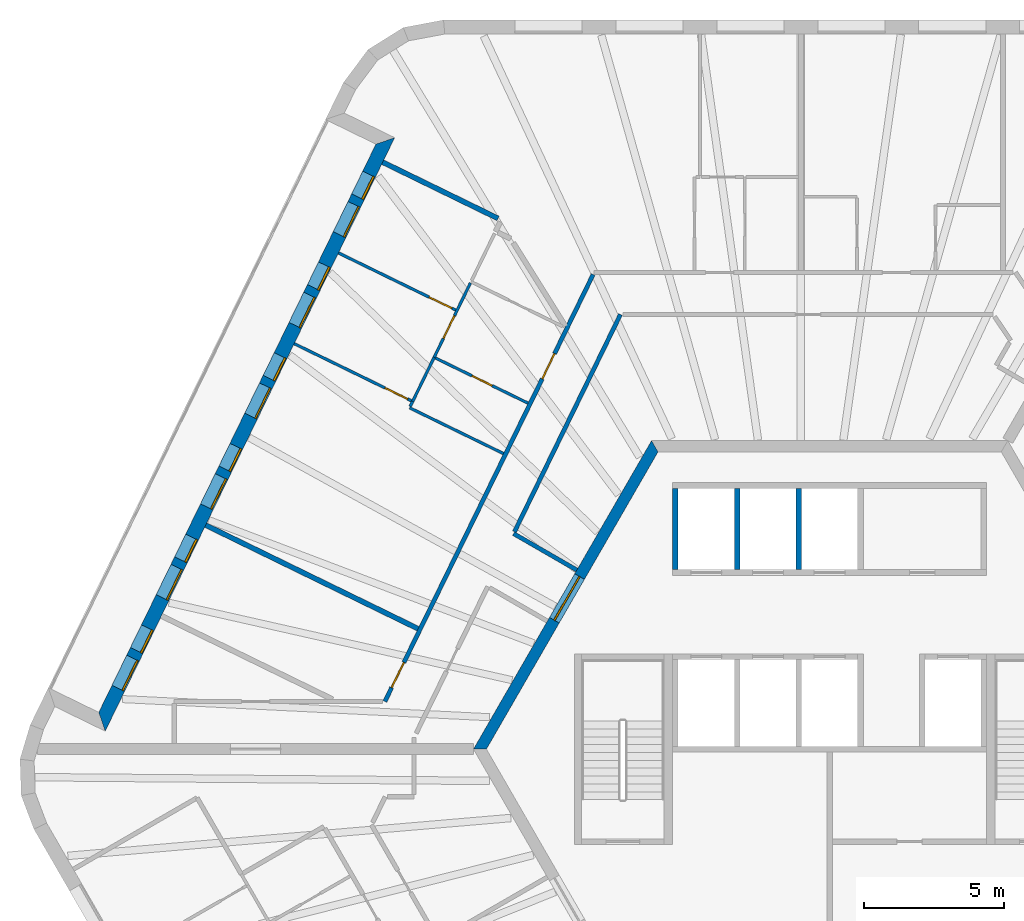
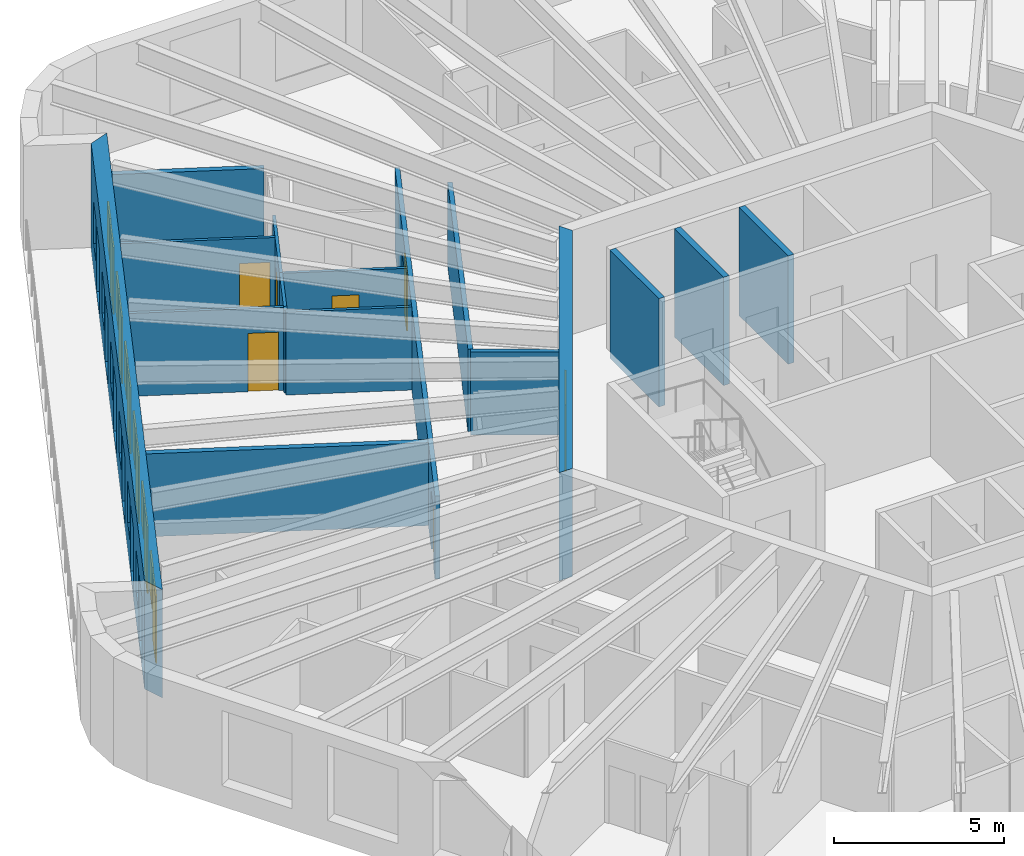
# One storey, part 8 of 12: 17 walls, 13 doors, 6 windows, 19 openings.
"""IFC4 building model written with IfcOpenShell, lengths in metres."""

from ifc_helpers import new_model, si_unit, direction, frame, frame_2d, origin, place, context, subcontext, project, spatial, polyline, rectangle, outline, extrude, material, layer, layer_set, type_object, element, fill, save


model = new_model("IFC4")

# Units and contexts
model_context = context("Model", 3, precision=1e-05, world=origin(), true_north=direction((0.0, 1.0)))
body_context = subcontext(model_context, "Body", "Model", "MODEL_VIEW")
ifc_project = project(units=[si_unit("LENGTHUNIT", "METRE"), si_unit("AREAUNIT", "SQUARE_METRE"), si_unit("VOLUMEUNIT", "CUBIC_METRE"), si_unit("PLANEANGLEUNIT", "RADIAN"), si_unit("MASSUNIT", "GRAM", prefix="KILO")], contexts=[model_context])

# Site, building, storey
site_placement = place(None, origin())
site = spatial("IfcSite", under=ifc_project, at=site_placement, CompositionType="ELEMENT")
building_placement = place(site_placement, origin())
building = spatial("IfcBuilding", under=site, at=building_placement, Name="Tarnside Tower", CompositionType="ELEMENT")
storey_placement = place(building_placement, frame((0.0, 0.0, 299.10009765625)))
storey = spatial("IfcBuildingStorey", under=building, at=storey_placement, Name="L72", CompositionType="ELEMENT", Elevation=299.10009765625)

# Walls
ifc_material_1 = material(Name="Gypsum board partition on steel studs", Category="steel")
ifc_layer_1 = layer(ifc_material_1, 0.10009765625)
ifc_layer_set_1 = layer_set([ifc_layer_1], Name="Bathroom wall 100")
wall_type_1 = type_object("IfcWallType", Name="Bathroom wall 100", PredefinedType="PARTITIONING", material=ifc_layer_set_1)
wall_1_placement = place(storey_placement, frame((-11.63232421875, 10.538818359375, 0.0), z_axis=(0.0, 0.0, 1.0), x_axis=(-0.898775374511, 0.438409427558, 0.0)))
element("IfcWall", 1, at=wall_1_placement, inside=storey, type_object=wall_type_1, Name="Bathroom wall 23100", PredefinedType="PARTITIONING", context=body_context, shape_type="SweptSolid", body=[
    extrude(rectangle(XDim=3.724853515625, YDim=0.10009765625, at=frame_2d((1.8623046875, 0.0))), origin(), (0.0, 0.0, 1.0), 2.98779296875),
])
wall_2_placement = place(storey_placement, frame((-14.95849609375, 12.216796875, 0.0), z_axis=(0.0, 0.0, 1.0), x_axis=(0.438565276448, 0.898699336983, 0.0)))
element("IfcWall", 2, at=wall_2_placement, inside=storey, type_object=wall_type_1, Name="Bathroom wall 23101", PredefinedType="PARTITIONING", context=body_context, shape_type="SweptSolid", body=[
    extrude(rectangle(XDim=0.203857421875, YDim=0.10009765625, at=frame_2d((0.10205078125, 0.0))), origin(), (0.0, 0.0, 1.0), 2.98779296875),
])

# Wall, opening, door
wall_3_placement = place(storey_placement, frame((-14.103515625, 13.969482421875, 0.0), z_axis=(0.0, 0.0, 1.0), x_axis=(0.898775374511, -0.438409427558, 0.0)))
wall_3 = element("IfcWall", 3, at=wall_3_placement, inside=storey, type_object=wall_type_1, Name="Bathroom wall 23104", PredefinedType="PARTITIONING", context=body_context, shape_type="SweptSolid", body=[
    extrude(rectangle(XDim=3.724853515625, YDim=0.10009765625, at=frame_2d((1.8623046875, 0.0))), origin(), (0.0, 0.0, 1.0), 2.98779296875),
])
opening_1_placement = place(wall_3_placement, frame((1.5, 0.0, 0.0)))
opening_1 = element("IfcOpeningElement", 4, at=opening_1_placement, cuts=wall_3, Name="Opening D-B1", PredefinedType="OPENING", context=body_context, shape_type="SweptSolid", body=[
    extrude(rectangle(XDim=0.800048828125, YDim=2.10009765625, at=frame_2d((0.39990234375, 1.050048828125))), frame((0.0, 0.06005859375, 0.0), z_axis=(0.0, -1.0, 0.0), x_axis=(1.0, 0.0, 0.0)), (0.0, 0.0, 1.0), 0.1201171875),
])
ifc_material_2 = material(Name="Timber door leaf", Category="wood")
door_type_1 = type_object("IfcDoorType", Name="Bathroom door 800", OperationType="NOTDEFINED", PredefinedType="DOOR", material=ifc_material_2)
door_1_placement = place(opening_1_placement, origin())
door_1 = element("IfcDoor", 5, at=door_1_placement, inside=storey, type_object=door_type_1, Name="Bathroom door 23010", OperationType="SINGLE_SWING_LEFT", OverallHeight=2.10009765625, OverallWidth=0.800048828125, PredefinedType="DOOR", context=body_context, shape_type="SweptSolid", body=[
    extrude(rectangle(XDim=0.800048828125, YDim=2.10009765625, at=frame_2d((0.39990234375, 1.050048828125))), frame((0.0, 0.02490234375, 0.0), z_axis=(0.0, -1.0, 0.0), x_axis=(1.0, 0.0, 0.0)), (0.0, 0.0, 1.0), 0.050048828125),
])
fill(opening_1, door_1)

# Wall
wall_4_placement = place(storey_placement, frame((-14.102783203125, 13.97119140625, 0.0), z_axis=(0.0, 0.0, 1.0), x_axis=(-0.43826423199, -0.89884618426, 0.0)))
element("IfcWall", 6, at=wall_4_placement, inside=storey, type_object=wall_type_1, Name="Bathroom wall 23108", PredefinedType="PARTITIONING", context=body_context, shape_type="SweptSolid", body=[
    extrude(rectangle(XDim=1.750244140625, YDim=0.10009765625, at=frame_2d((0.875, 0.0))), origin(), (0.0, 0.0, 1.0), 2.98779296875),
])

# Wall, opening, door
ifc_material_3 = material(Name="Concrete C60/75", Category="concrete")
ifc_layer_2 = layer(ifc_material_3, 0.39990234375)
ifc_layer_set_2 = layer_set([ifc_layer_2], Name="Core wall Z3 400 C60/75")
wall_type_2 = type_object("IfcWallType", Name="Core wall Z3 400 C60/75", PredefinedType="SHEAR", material=ifc_layer_set_2)
wall_5_placement = place(storey_placement, frame((-6.2353515625, 10.800048828125, -0.150146484375), z_axis=(0.0, 0.0, 1.0), x_axis=(-0.499996419489, -0.866027470984, 0.0)))
wall_5 = element("IfcWall", 7, at=wall_5_placement, inside=storey, type_object=wall_type_2, Name="L72 core wall face 2", PredefinedType="SHEAR", context=body_context, shape_type="SweptSolid", body=[
    extrude(outline(polyline([(-0.115478515625, -0.199951171875), (12.586181640625, -0.199951171875), (12.355224609375, 0.199951171875), (0.115478515625, 0.199951171875), (-0.115478515625, -0.199951171875)])), origin(), (0.0, 0.0, 1.0), 3.900146484375),
])
opening_2_placement = place(wall_5_placement, frame((5.3642578125, 0.0, 0.14990234375)))
opening_2 = element("IfcOpeningElement", 8, at=opening_2_placement, cuts=wall_5, Name="Opening CD-LOB", PredefinedType="OPENING", context=body_context, shape_type="SweptSolid", body=[
    extrude(rectangle(XDim=1.800048828125, YDim=2.39990234375, at=frame_2d((0.89990234375, 1.199951171875))), frame((0.0, 0.2099609375, 0.0), z_axis=(0.0, -1.0, 0.0), x_axis=(1.0, 0.0, 0.0)), (0.0, 0.0, 1.0), 0.419921875),
])
ifc_material_4 = material(Name="Steel fire door", Category="steel")
door_type_2 = type_object("IfcDoorType", Name="Lobby double door FD30S 1800x2400", OperationType="NOTDEFINED", PredefinedType="DOOR", material=ifc_material_4)
door_2_placement = place(opening_2_placement, origin())
door_2 = element("IfcDoor", 9, at=door_2_placement, inside=storey, type_object=door_type_2, Name="L72 core door P1", OperationType="DOUBLE_DOOR_SINGLE_SWING", OverallHeight=2.39990234375, OverallWidth=1.800048828125, PredefinedType="DOOR", context=body_context, shape_type="SweptSolid", body=[
    extrude(rectangle(XDim=1.800048828125, YDim=2.39990234375, at=frame_2d((0.89990234375, 1.199951171875))), frame((0.0, 0.02490234375, 0.0), z_axis=(0.0, -1.0, 0.0), x_axis=(1.0, 0.0, 0.0)), (0.0, 0.0, 1.0), 0.050048828125),
])
fill(opening_2, door_2)

# Wall, openings, doors
ifc_layer_3 = layer(ifc_material_1, 0.14990234375)
ifc_layer_set_3 = layer_set([ifc_layer_3], Name="Corridor wall 150 EI 60")
wall_type_3 = type_object("IfcWallType", Name="Corridor wall 150 EI 60", PredefinedType="PARTITIONING", material=ifc_layer_set_3)
wall_6_placement = place(storey_placement, frame((-8.43408203125, 16.925048828125, 0.0), z_axis=(0.0, 0.0, 1.0), x_axis=(-0.438371383278, -0.898793930956, 0.0)))
wall_6 = element("IfcWall", 10, at=wall_6_placement, inside=storey, type_object=wall_type_3, Name="Corridor wall 23009", PredefinedType="PARTITIONING", context=body_context, shape_type="SweptSolid", body=[
    extrude(rectangle(XDim=16.939453125, YDim=0.14990234375, at=frame_2d((8.4697265625, 0.0))), origin(), (0.0, 0.0, 1.0), 2.98779296875),
])
opening_3_placement = place(wall_6_placement, frame((3.141845703125, 0.0, 0.0)))
opening_3 = element("IfcOpeningElement", 11, at=opening_3_placement, cuts=wall_6, Name="Opening D-E1", PredefinedType="OPENING", context=body_context, shape_type="SweptSolid", body=[
    extrude(rectangle(XDim=1.0, YDim=2.10009765625, at=frame_2d((0.5, 1.050048828125))), frame((0.0, 0.0849609375, 0.0), z_axis=(0.0, -1.0, 0.0), x_axis=(1.0, 0.0, 0.0)), (0.0, 0.0, 1.0), 0.169921875),
])
opening_4_placement = place(wall_6_placement, frame((15.39013671875, 0.0, 0.0)))
opening_4 = element("IfcOpeningElement", 12, at=opening_4_placement, cuts=wall_6, Name="Opening D-E1", PredefinedType="OPENING", context=body_context, shape_type="SweptSolid", body=[
    extrude(rectangle(XDim=1.0, YDim=2.10009765625, at=frame_2d((0.5, 1.050048828125))), frame((0.0, 0.0849609375, 0.0), z_axis=(0.0, -1.0, 0.0), x_axis=(1.0, 0.0, 0.0)), (0.0, 0.0, 1.0), 0.169921875),
])
door_type_3 = type_object("IfcDoorType", Name="Unit entrance door 1000 FD30S", OperationType="NOTDEFINED", PredefinedType="DOOR", material=ifc_material_2)
door_3_placement = place(opening_3_placement, origin())
door_3 = element("IfcDoor", 13, at=door_3_placement, inside=storey, type_object=door_type_3, Name="Unit door 23009", OperationType="SINGLE_SWING_LEFT", OverallHeight=2.10009765625, OverallWidth=1.0, PredefinedType="DOOR", context=body_context, shape_type="SweptSolid", body=[
    extrude(rectangle(XDim=1.0, YDim=2.10009765625, at=frame_2d((0.5, 1.050048828125))), frame((0.0, 0.02490234375, 0.0), z_axis=(0.0, -1.0, 0.0), x_axis=(1.0, 0.0, 0.0)), (0.0, 0.0, 1.0), 0.050048828125),
])
fill(opening_3, door_3)
door_4_placement = place(opening_4_placement, origin())
door_4 = element("IfcDoor", 14, at=door_4_placement, inside=storey, type_object=door_type_3, Name="Unit door 23020", OperationType="SINGLE_SWING_LEFT", OverallHeight=2.10009765625, OverallWidth=1.0, PredefinedType="DOOR", context=body_context, shape_type="SweptSolid", body=[
    extrude(rectangle(XDim=1.0, YDim=2.10009765625, at=frame_2d((0.5, 1.050048828125))), frame((0.0, 0.02490234375, 0.0), z_axis=(0.0, -1.0, 0.0), x_axis=(1.0, 0.0, 0.0)), (0.0, 0.0, 1.0), 0.050048828125),
])
fill(opening_4, door_4)

# Walls
wall_7_placement = place(storey_placement, frame((-9.015625, 6.38427734375, 0.0), z_axis=(0.0, 0.0, 1.0), x_axis=(-0.866031051173, 0.499990218309, 0.0)))
element("IfcWall", 15, at=wall_7_placement, inside=storey, type_object=wall_type_3, Name="Corridor wall 23019", PredefinedType="PARTITIONING", context=body_context, shape_type="SweptSolid", body=[
    extrude(rectangle(XDim=2.6044921875, YDim=0.14990234375, at=frame_2d((1.30224609375, 0.0))), origin(), (0.0, 0.0, 1.0), 2.98779296875),
])
wall_8_placement = place(storey_placement, frame((-11.23828125, 7.754150390625, 0.0), z_axis=(0.0, 0.0, 1.0), x_axis=(0.438387352899, 0.89878614187, 0.0)))
element("IfcWall", 16, at=wall_8_placement, inside=storey, type_object=wall_type_3, Name="Corridor wall 23020", PredefinedType="PARTITIONING", context=body_context, shape_type="SweptSolid", body=[
    extrude(rectangle(XDim=8.6181640625, YDim=0.14990234375, at=frame_2d((4.30908203125, 0.0))), origin(), (0.0, 0.0, 1.0), 2.98779296875),
])
ifc_layer_4 = layer(ifc_material_1, 0.179931640625)
ifc_layer_set_4 = layer_set([ifc_layer_4], Name="Demising wall 180 EI 60")
wall_type_4 = type_object("IfcWallType", Name="Demising wall 180 EI 60", PredefinedType="PARTITIONING", material=ifc_layer_set_4)
wall_9_placement = place(storey_placement, frame((-15.93798828125, 20.9296875, 0.0), z_axis=(0.0, 0.0, 1.0), x_axis=(0.898800744024, -0.438357414153, 0.0)))
element("IfcWall", 17, at=wall_9_placement, inside=storey, type_object=wall_type_4, Name="Demising wall 23093", PredefinedType="PARTITIONING", context=body_context, shape_type="SweptSolid", body=[
    extrude(rectangle(XDim=4.576416015625, YDim=0.179931640625, at=frame_2d((2.2880859375, 0.0))), origin(), (0.0, 0.0, 1.0), 2.98779296875),
])
wall_10_placement = place(storey_placement, frame((-22.25048828125, 7.987060546875, 0.0), z_axis=(0.0, 0.0, 1.0), x_axis=(0.898788496909, -0.438382524543, 0.0)))
element("IfcWall", 18, at=wall_10_placement, inside=storey, type_object=wall_type_4, Name="Demising wall 23103", PredefinedType="PARTITIONING", context=body_context, shape_type="SweptSolid", body=[
    extrude(rectangle(XDim=8.425048828125, YDim=0.179931640625, at=frame_2d((4.21240234375, 0.0))), origin(), (0.0, 0.0, 1.0), 2.98779296875),
])
ifc_material_5 = material(Name="Concrete C40/50", Category="concrete")
ifc_layer_5 = layer(ifc_material_5, 0.199951171875)
ifc_layer_set_5 = layer_set([ifc_layer_5], Name="Lift shaft wall 200 C40/50")
wall_type_5 = type_object("IfcWallType", Name="Lift shaft wall 200 C40/50", PredefinedType="SHEAR", material=ifc_layer_set_5)
for number, where, z_axis, x_axis, name in (
    (19, (-5.5, 6.39990234375, -0.25), (0.0, 0.0, 1.0), (0.0, 1.0, 0.0), "L72 lift shaft partition R11"),
    (20, (-3.300048828125, 6.39990234375, -0.25), (0.0, 0.0, 1.0), (0.0, 1.0, 0.0), "L72 lift shaft partition R12"),
    (21, (-1.10009765625, 6.39990234375, -0.25), (0.0, 0.0, 1.0), (0.0, 1.0, 0.0), "L72 lift shaft partition R13"),
):
    element("IfcWall", number, at=place(storey_placement, frame(where, z_axis=z_axis, x_axis=x_axis)), inside=storey, type_object=wall_type_5, Name=name, PredefinedType="SHEAR", context=body_context, shape_type="SweptSolid", body=[
        extrude(rectangle(XDim=2.900146484375, YDim=0.199951171875, at=frame_2d((1.4501953125, 0.0))), origin(), (0.0, 0.0, 1.0), 3.89990234375),
    ])

# Wall, openings, doors, windows
ifc_material_6 = material(Name="Dark zinc cladding")
ifc_layer_6 = layer(ifc_material_6, 0.10205078125)
ifc_material_7 = material(Name="Concrete C60/75 precast", Category="concrete")
ifc_layer_7 = layer(ifc_material_7, 0.298095703125)
ifc_material_8 = material(Name="Mineral wool insulation")
ifc_layer_8 = layer(ifc_material_8, 0.10009765625)
ifc_layer_set_6 = layer_set([ifc_layer_6, ifc_layer_7, ifc_layer_8], Name="Loggia wall 500 zinc faced")
wall_type_6 = type_object("IfcWallType", Name="Loggia wall 500 zinc faced", PredefinedType="SOLIDWALL", material=ifc_layer_set_6)
wall_11_placement = place(storey_placement, frame((-15.845947265625, 21.6884765625, -0.150146484375), z_axis=(0.0, 0.0, 1.0), x_axis=(-0.438377502627, -0.898790946322, 0.0)))
wall_11 = element("IfcWall", 22, at=wall_11_placement, inside=storey, type_object=wall_type_6, Name="Tube wall L72 F2 back 06", PredefinedType="SOLIDWALL", context=body_context, shape_type="SweptSolid", body=[
    extrude(outline(polyline([(0.25, -0.25), (22.794677734375, -0.25), (23.294677734375, 0.25), (-0.25, 0.25), (0.25, -0.25)])), origin(), (0.0, 0.0, 1.0), 3.900146484375),
])
opening_5_placement = place(wall_11_placement, frame((1.322509765625, 0.0, 1.050048828125)))
opening_5 = element("IfcOpeningElement", 23, at=opening_5_placement, cuts=wall_11, Name="Opening WL500", PredefinedType="OPENING", context=body_context, shape_type="SweptSolid", body=[
    extrude(rectangle(XDim=0.89990234375, YDim=1.5, at=frame_2d((0.449951171875, 0.75))), frame((0.0, 0.260009765625, 0.0), z_axis=(0.0, -1.0, 0.0), x_axis=(1.0, 0.0, 0.0)), (0.0, 0.0, 1.0), 0.52001953125),
])
opening_6_placement = place(wall_11_placement, frame((2.5224609375, 0.0, 0.14990234375)))
opening_6 = element("IfcOpeningElement", 24, at=opening_6_placement, cuts=wall_11, Name="Opening DB500", PredefinedType="OPENING", context=body_context, shape_type="SweptSolid", body=[
    extrude(rectangle(XDim=1.199951171875, YDim=2.39990234375, at=frame_2d((0.60009765625, 1.199951171875))), frame((0.0, 0.260009765625, 0.0), z_axis=(0.0, -1.0, 0.0), x_axis=(1.0, 0.0, 0.0)), (0.0, 0.0, 1.0), 0.52001953125),
])
opening_7_placement = place(wall_11_placement, frame((4.92236328125, 0.0, 1.050048828125)))
opening_7 = element("IfcOpeningElement", 25, at=opening_7_placement, cuts=wall_11, Name="Opening WL500", PredefinedType="OPENING", context=body_context, shape_type="SweptSolid", body=[
    extrude(rectangle(XDim=0.89990234375, YDim=1.5, at=frame_2d((0.449951171875, 0.75))), frame((0.0, 0.260009765625, 0.0), z_axis=(0.0, -1.0, 0.0), x_axis=(1.0, 0.0, 0.0)), (0.0, 0.0, 1.0), 0.52001953125),
])
opening_8_placement = place(wall_11_placement, frame((6.122314453125, 0.0, 0.14990234375)))
opening_8 = element("IfcOpeningElement", 26, at=opening_8_placement, cuts=wall_11, Name="Opening DB500", PredefinedType="OPENING", context=body_context, shape_type="SweptSolid", body=[
    extrude(rectangle(XDim=1.199951171875, YDim=2.39990234375, at=frame_2d((0.60009765625, 1.199951171875))), frame((0.0, 0.260009765625, 0.0), z_axis=(0.0, -1.0, 0.0), x_axis=(1.0, 0.0, 0.0)), (0.0, 0.0, 1.0), 0.52001953125),
])
opening_9_placement = place(wall_11_placement, frame((8.5224609375, 0.0, 1.050048828125)))
opening_9 = element("IfcOpeningElement", 27, at=opening_9_placement, cuts=wall_11, Name="Opening WL500", PredefinedType="OPENING", context=body_context, shape_type="SweptSolid", body=[
    extrude(rectangle(XDim=0.89990234375, YDim=1.5, at=frame_2d((0.449951171875, 0.75))), frame((0.0, 0.260009765625, 0.0), z_axis=(0.0, -1.0, 0.0), x_axis=(1.0, 0.0, 0.0)), (0.0, 0.0, 1.0), 0.52001953125),
])
opening_10_placement = place(wall_11_placement, frame((9.722412109375, 0.0, 0.14990234375)))
opening_10 = element("IfcOpeningElement", 28, at=opening_10_placement, cuts=wall_11, Name="Opening DB500", PredefinedType="OPENING", context=body_context, shape_type="SweptSolid", body=[
    extrude(rectangle(XDim=1.199951171875, YDim=2.39990234375, at=frame_2d((0.60009765625, 1.199951171875))), frame((0.0, 0.260009765625, 0.0), z_axis=(0.0, -1.0, 0.0), x_axis=(1.0, 0.0, 0.0)), (0.0, 0.0, 1.0), 0.52001953125),
])
opening_11_placement = place(wall_11_placement, frame((12.122314453125, 0.0, 1.050048828125)))
opening_11 = element("IfcOpeningElement", 29, at=opening_11_placement, cuts=wall_11, Name="Opening WL500", PredefinedType="OPENING", context=body_context, shape_type="SweptSolid", body=[
    extrude(rectangle(XDim=0.89990234375, YDim=1.5, at=frame_2d((0.449951171875, 0.75))), frame((0.0, 0.260009765625, 0.0), z_axis=(0.0, -1.0, 0.0), x_axis=(1.0, 0.0, 0.0)), (0.0, 0.0, 1.0), 0.52001953125),
])
opening_12_placement = place(wall_11_placement, frame((13.322509765625, 0.0, 0.14990234375)))
opening_12 = element("IfcOpeningElement", 30, at=opening_12_placement, cuts=wall_11, Name="Opening DB500", PredefinedType="OPENING", context=body_context, shape_type="SweptSolid", body=[
    extrude(rectangle(XDim=1.199951171875, YDim=2.39990234375, at=frame_2d((0.60009765625, 1.199951171875))), frame((0.0, 0.260009765625, 0.0), z_axis=(0.0, -1.0, 0.0), x_axis=(1.0, 0.0, 0.0)), (0.0, 0.0, 1.0), 0.52001953125),
])
opening_13_placement = place(wall_11_placement, frame((15.722412109375, 0.0, 1.050048828125)))
opening_13 = element("IfcOpeningElement", 31, at=opening_13_placement, cuts=wall_11, Name="Opening WL500", PredefinedType="OPENING", context=body_context, shape_type="SweptSolid", body=[
    extrude(rectangle(XDim=0.89990234375, YDim=1.5, at=frame_2d((0.449951171875, 0.75))), frame((0.0, 0.260009765625, 0.0), z_axis=(0.0, -1.0, 0.0), x_axis=(1.0, 0.0, 0.0)), (0.0, 0.0, 1.0), 0.52001953125),
])
opening_14_placement = place(wall_11_placement, frame((16.92236328125, 0.0, 0.14990234375)))
opening_14 = element("IfcOpeningElement", 32, at=opening_14_placement, cuts=wall_11, Name="Opening DB500", PredefinedType="OPENING", context=body_context, shape_type="SweptSolid", body=[
    extrude(rectangle(XDim=1.199951171875, YDim=2.39990234375, at=frame_2d((0.60009765625, 1.199951171875))), frame((0.0, 0.260009765625, 0.0), z_axis=(0.0, -1.0, 0.0), x_axis=(1.0, 0.0, 0.0)), (0.0, 0.0, 1.0), 0.52001953125),
])
opening_15_placement = place(wall_11_placement, frame((19.322509765625, 0.0, 1.050048828125)))
opening_15 = element("IfcOpeningElement", 33, at=opening_15_placement, cuts=wall_11, Name="Opening WL500", PredefinedType="OPENING", context=body_context, shape_type="SweptSolid", body=[
    extrude(rectangle(XDim=0.89990234375, YDim=1.5, at=frame_2d((0.449951171875, 0.75))), frame((0.0, 0.260009765625, 0.0), z_axis=(0.0, -1.0, 0.0), x_axis=(1.0, 0.0, 0.0)), (0.0, 0.0, 1.0), 0.52001953125),
])
opening_16_placement = place(wall_11_placement, frame((20.5224609375, 0.0, 0.14990234375)))
opening_16 = element("IfcOpeningElement", 34, at=opening_16_placement, cuts=wall_11, Name="Opening DB500", PredefinedType="OPENING", context=body_context, shape_type="SweptSolid", body=[
    extrude(rectangle(XDim=1.199951171875, YDim=2.39990234375, at=frame_2d((0.60009765625, 1.199951171875))), frame((0.0, 0.260009765625, 0.0), z_axis=(0.0, -1.0, 0.0), x_axis=(1.0, 0.0, 0.0)), (0.0, 0.0, 1.0), 0.52001953125),
])
ifc_material_9 = material(Name="Aluminium-framed double glazing", Category="aluminium")
door_type_4 = type_object("IfcDoorType", Name="Balcony sliding door 1200 x 2400 in 500 wall", OperationType="SLIDING_TO_LEFT", PredefinedType="DOOR", material=ifc_material_9)
door_5_placement = place(opening_6_placement, frame((0.0, 0.1748046875, 0.0)))
door_5 = element("IfcDoor", 35, at=door_5_placement, inside=storey, type_object=door_type_4, Name="E.BD.L72.F2.00", OperationType="SLIDING_TO_LEFT", OverallHeight=2.39990234375, OverallWidth=1.199951171875, PredefinedType="DOOR", context=body_context, shape_type="SweptSolid", body=[
    extrude(rectangle(XDim=1.199951171875, YDim=2.39990234375, at=frame_2d((0.60009765625, 1.199951171875))), frame((0.0, 0.02490234375, 0.0), z_axis=(0.0, -1.0, 0.0), x_axis=(1.0, 0.0, 0.0)), (0.0, 0.0, 1.0), 0.050048828125),
])
fill(opening_6, door_5)
door_6_placement = place(opening_8_placement, frame((0.0, 0.1748046875, 0.0)))
door_6 = element("IfcDoor", 36, at=door_6_placement, inside=storey, type_object=door_type_4, Name="E.BD.L72.F2.01", OperationType="SLIDING_TO_LEFT", OverallHeight=2.39990234375, OverallWidth=1.199951171875, PredefinedType="DOOR", context=body_context, shape_type="SweptSolid", body=[
    extrude(rectangle(XDim=1.199951171875, YDim=2.39990234375, at=frame_2d((0.60009765625, 1.199951171875))), frame((0.0, 0.02490234375, 0.0), z_axis=(0.0, -1.0, 0.0), x_axis=(1.0, 0.0, 0.0)), (0.0, 0.0, 1.0), 0.050048828125),
])
fill(opening_8, door_6)
door_7_placement = place(opening_10_placement, frame((0.0, 0.1748046875, 0.0)))
door_7 = element("IfcDoor", 37, at=door_7_placement, inside=storey, type_object=door_type_4, Name="E.BD.L72.F2.02", OperationType="SLIDING_TO_LEFT", OverallHeight=2.39990234375, OverallWidth=1.199951171875, PredefinedType="DOOR", context=body_context, shape_type="SweptSolid", body=[
    extrude(rectangle(XDim=1.199951171875, YDim=2.39990234375, at=frame_2d((0.60009765625, 1.199951171875))), frame((0.0, 0.02490234375, 0.0), z_axis=(0.0, -1.0, 0.0), x_axis=(1.0, 0.0, 0.0)), (0.0, 0.0, 1.0), 0.050048828125),
])
fill(opening_10, door_7)
door_8_placement = place(opening_12_placement, frame((0.0, 0.1748046875, 0.0)))
door_8 = element("IfcDoor", 38, at=door_8_placement, inside=storey, type_object=door_type_4, Name="E.BD.L72.F2.03", OperationType="SLIDING_TO_LEFT", OverallHeight=2.39990234375, OverallWidth=1.199951171875, PredefinedType="DOOR", context=body_context, shape_type="SweptSolid", body=[
    extrude(rectangle(XDim=1.199951171875, YDim=2.39990234375, at=frame_2d((0.60009765625, 1.199951171875))), frame((0.0, 0.02490234375, 0.0), z_axis=(0.0, -1.0, 0.0), x_axis=(1.0, 0.0, 0.0)), (0.0, 0.0, 1.0), 0.050048828125),
])
fill(opening_12, door_8)
door_9_placement = place(opening_14_placement, frame((0.0, 0.1748046875, 0.0)))
door_9 = element("IfcDoor", 39, at=door_9_placement, inside=storey, type_object=door_type_4, Name="E.BD.L72.F2.04", OperationType="SLIDING_TO_LEFT", OverallHeight=2.39990234375, OverallWidth=1.199951171875, PredefinedType="DOOR", context=body_context, shape_type="SweptSolid", body=[
    extrude(rectangle(XDim=1.199951171875, YDim=2.39990234375, at=frame_2d((0.60009765625, 1.199951171875))), frame((0.0, 0.02490234375, 0.0), z_axis=(0.0, -1.0, 0.0), x_axis=(1.0, 0.0, 0.0)), (0.0, 0.0, 1.0), 0.050048828125),
])
fill(opening_14, door_9)
door_10_placement = place(opening_16_placement, frame((0.0, 0.1748046875, 0.0)))
door_10 = element("IfcDoor", 40, at=door_10_placement, inside=storey, type_object=door_type_4, Name="E.BD.L72.F2.05", OperationType="SLIDING_TO_LEFT", OverallHeight=2.39990234375, OverallWidth=1.199951171875, PredefinedType="DOOR", context=body_context, shape_type="SweptSolid", body=[
    extrude(rectangle(XDim=1.199951171875, YDim=2.39990234375, at=frame_2d((0.60009765625, 1.199951171875))), frame((0.0, 0.02490234375, 0.0), z_axis=(0.0, -1.0, 0.0), x_axis=(1.0, 0.0, 0.0)), (0.0, 0.0, 1.0), 0.050048828125),
])
fill(opening_16, door_10)
window_type = type_object("IfcWindowType", Name="Loggia window 900 x 1500 in 500 wall", PartitioningType="SINGLE_PANEL", PredefinedType="WINDOW", material=ifc_material_9)
window_1_placement = place(opening_5_placement, frame((0.0, 0.179931640625, 0.0)))
window_1 = element("IfcWindow", 41, at=window_1_placement, inside=storey, type_object=window_type, Name="E.LW.L72.F2.00", OverallHeight=1.5, OverallWidth=0.89990234375, PartitioningType="SINGLE_PANEL", PredefinedType="WINDOW", context=body_context, shape_type="SweptSolid", body=[
    extrude(rectangle(XDim=0.89990234375, YDim=1.5, at=frame_2d((0.449951171875, 0.75))), frame((0.0, 0.030029296875, 0.0), z_axis=(0.0, -1.0, 0.0), x_axis=(1.0, 0.0, 0.0)), (0.0, 0.0, 1.0), 0.06005859375),
])
fill(opening_5, window_1)
window_2_placement = place(opening_7_placement, frame((0.0, 0.179931640625, 0.0)))
window_2 = element("IfcWindow", 42, at=window_2_placement, inside=storey, type_object=window_type, Name="E.LW.L72.F2.01", OverallHeight=1.5, OverallWidth=0.89990234375, PartitioningType="SINGLE_PANEL", PredefinedType="WINDOW", context=body_context, shape_type="SweptSolid", body=[
    extrude(rectangle(XDim=0.89990234375, YDim=1.5, at=frame_2d((0.449951171875, 0.75))), frame((0.0, 0.030029296875, 0.0), z_axis=(0.0, -1.0, 0.0), x_axis=(1.0, 0.0, 0.0)), (0.0, 0.0, 1.0), 0.06005859375),
])
fill(opening_7, window_2)
window_3_placement = place(opening_9_placement, frame((0.0, 0.179931640625, 0.0)))
window_3 = element("IfcWindow", 43, at=window_3_placement, inside=storey, type_object=window_type, Name="E.LW.L72.F2.02", OverallHeight=1.5, OverallWidth=0.89990234375, PartitioningType="SINGLE_PANEL", PredefinedType="WINDOW", context=body_context, shape_type="SweptSolid", body=[
    extrude(rectangle(XDim=0.89990234375, YDim=1.5, at=frame_2d((0.449951171875, 0.75))), frame((0.0, 0.030029296875, 0.0), z_axis=(0.0, -1.0, 0.0), x_axis=(1.0, 0.0, 0.0)), (0.0, 0.0, 1.0), 0.06005859375),
])
fill(opening_9, window_3)
window_4_placement = place(opening_11_placement, frame((0.0, 0.179931640625, 0.0)))
window_4 = element("IfcWindow", 44, at=window_4_placement, inside=storey, type_object=window_type, Name="E.LW.L72.F2.03", OverallHeight=1.5, OverallWidth=0.89990234375, PartitioningType="SINGLE_PANEL", PredefinedType="WINDOW", context=body_context, shape_type="SweptSolid", body=[
    extrude(rectangle(XDim=0.89990234375, YDim=1.5, at=frame_2d((0.449951171875, 0.75))), frame((0.0, 0.030029296875, 0.0), z_axis=(0.0, -1.0, 0.0), x_axis=(1.0, 0.0, 0.0)), (0.0, 0.0, 1.0), 0.06005859375),
])
fill(opening_11, window_4)
window_5_placement = place(opening_13_placement, frame((0.0, 0.179931640625, 0.0)))
window_5 = element("IfcWindow", 45, at=window_5_placement, inside=storey, type_object=window_type, Name="E.LW.L72.F2.04", OverallHeight=1.5, OverallWidth=0.89990234375, PartitioningType="SINGLE_PANEL", PredefinedType="WINDOW", context=body_context, shape_type="SweptSolid", body=[
    extrude(rectangle(XDim=0.89990234375, YDim=1.5, at=frame_2d((0.449951171875, 0.75))), frame((0.0, 0.030029296875, 0.0), z_axis=(0.0, -1.0, 0.0), x_axis=(1.0, 0.0, 0.0)), (0.0, 0.0, 1.0), 0.06005859375),
])
fill(opening_13, window_5)
window_6_placement = place(opening_15_placement, frame((0.0, 0.179931640625, 0.0)))
window_6 = element("IfcWindow", 46, at=window_6_placement, inside=storey, type_object=window_type, Name="E.LW.L72.F2.05", OverallHeight=1.5, OverallWidth=0.89990234375, PartitioningType="SINGLE_PANEL", PredefinedType="WINDOW", context=body_context, shape_type="SweptSolid", body=[
    extrude(rectangle(XDim=0.89990234375, YDim=1.5, at=frame_2d((0.449951171875, 0.75))), frame((0.0, 0.030029296875, 0.0), z_axis=(0.0, -1.0, 0.0), x_axis=(1.0, 0.0, 0.0)), (0.0, 0.0, 1.0), 0.06005859375),
])
fill(opening_15, window_6)

# Wall, opening, door
ifc_layer_9 = layer(ifc_material_1, 0.10009765625)
ifc_layer_set_7 = layer_set([ifc_layer_9], Name="Partition 100")
wall_type_7 = type_object("IfcWallType", Name="Partition 100", PredefinedType="PARTITIONING", material=ifc_layer_set_7)
wall_12_placement = place(storey_placement, frame((-14.9150390625, 12.419921875, 0.0), z_axis=(0.0, 0.0, 1.0), x_axis=(-0.898773491676, 0.438413287504, 0.0)))
wall_12 = element("IfcWall", 47, at=wall_12_placement, inside=storey, type_object=wall_type_7, Name="Partition wall 23102", PredefinedType="PARTITIONING", context=body_context, shape_type="SweptSolid", body=[
    extrude(rectangle(XDim=4.64990234375, YDim=0.10009765625, at=frame_2d((2.324951171875, 0.0))), origin(), (0.0, 0.0, 1.0), 2.98779296875),
])
opening_17_placement = place(wall_12_placement, frame((0.14990234375, 0.0, 0.0)))
opening_17 = element("IfcOpeningElement", 48, at=opening_17_placement, cuts=wall_12, Name="Opening D-I1", PredefinedType="OPENING", context=body_context, shape_type="SweptSolid", body=[
    extrude(rectangle(XDim=0.89990234375, YDim=2.10009765625, at=frame_2d((0.449951171875, 1.050048828125))), frame((0.0, 0.06005859375, 0.0), z_axis=(0.0, -1.0, 0.0), x_axis=(1.0, 0.0, 0.0)), (0.0, 0.0, 1.0), 0.1201171875),
])
door_type_5 = type_object("IfcDoorType", Name="Internal door 900", OperationType="NOTDEFINED", PredefinedType="DOOR", material=ifc_material_2)
door_11_placement = place(opening_17_placement, origin())
door_11 = element("IfcDoor", 49, at=door_11_placement, inside=storey, type_object=door_type_5, Name="Internal door 23018", OperationType="SINGLE_SWING_RIGHT", OverallHeight=2.10009765625, OverallWidth=0.89990234375, PredefinedType="DOOR", context=body_context, shape_type="SweptSolid", body=[
    extrude(rectangle(XDim=0.89990234375, YDim=2.10009765625, at=frame_2d((0.449951171875, 1.050048828125))), frame((0.0, 0.02490234375, 0.0), z_axis=(0.0, -1.0, 0.0), x_axis=(1.0, 0.0, 0.0)), (0.0, 0.0, 1.0), 0.050048828125),
])
fill(opening_17, door_11)

wall_13_placement = place(storey_placement, frame((-12.8095703125, 16.62255859375, 0.0), z_axis=(0.0, 0.0, 1.0), x_axis=(-0.438365010977, -0.898797038909, 0.0)))
wall_13 = element("IfcWall", 50, at=wall_13_placement, inside=storey, type_object=wall_type_7, Name="Partition wall 23105", PredefinedType="PARTITIONING", context=body_context, shape_type="SweptSolid", body=[
    extrude(rectangle(XDim=2.9541015625, YDim=0.10009765625, at=frame_2d((1.47705078125, 0.0))), origin(), (0.0, 0.0, 1.0), 2.98779296875),
])
opening_18_placement = place(wall_13_placement, frame((1.30029296875, 0.0, 0.0)))
opening_18 = element("IfcOpeningElement", 51, at=opening_18_placement, cuts=wall_13, Name="Opening D-I1", PredefinedType="OPENING", context=body_context, shape_type="SweptSolid", body=[
    extrude(rectangle(XDim=0.89990234375, YDim=2.10009765625, at=frame_2d((0.449951171875, 1.050048828125))), frame((0.0, 0.06005859375, 0.0), z_axis=(0.0, -1.0, 0.0), x_axis=(1.0, 0.0, 0.0)), (0.0, 0.0, 1.0), 0.1201171875),
])
door_12_placement = place(opening_18_placement, origin())
door_12 = element("IfcDoor", 52, at=door_12_placement, inside=storey, type_object=door_type_5, Name="Internal door 23013", OperationType="SINGLE_SWING_RIGHT", OverallHeight=2.10009765625, OverallWidth=0.89990234375, PredefinedType="DOOR", context=body_context, shape_type="SweptSolid", body=[
    extrude(rectangle(XDim=0.89990234375, YDim=2.10009765625, at=frame_2d((0.449951171875, 1.050048828125))), frame((0.0, 0.02490234375, 0.0), z_axis=(0.0, -1.0, 0.0), x_axis=(1.0, 0.0, 0.0)), (0.0, 0.0, 1.0), 0.050048828125),
])
fill(opening_18, door_12)

wall_14_placement = place(storey_placement, frame((-17.51611328125, 17.694091796875, 0.0), z_axis=(0.0, 0.0, 1.0), x_axis=(0.898783582669, -0.43839259976, 0.0)))
wall_14 = element("IfcWall", 53, at=wall_14_placement, inside=storey, type_object=wall_type_7, Name="Partition wall 23109", PredefinedType="PARTITIONING", context=body_context, shape_type="SweptSolid", body=[
    extrude(rectangle(XDim=4.650146484375, YDim=0.10009765625, at=frame_2d((2.3251953125, 0.0))), origin(), (0.0, 0.0, 1.0), 2.98779296875),
])
opening_19_placement = place(wall_14_placement, frame((3.60009765625, 0.0, 0.0)))
opening_19 = element("IfcOpeningElement", 54, at=opening_19_placement, cuts=wall_14, Name="Opening D-I1", PredefinedType="OPENING", context=body_context, shape_type="SweptSolid", body=[
    extrude(rectangle(XDim=0.89990234375, YDim=2.10009765625, at=frame_2d((0.449951171875, 1.050048828125))), frame((0.0, 0.06005859375, 0.0), z_axis=(0.0, -1.0, 0.0), x_axis=(1.0, 0.0, 0.0)), (0.0, 0.0, 1.0), 0.1201171875),
])
door_13_placement = place(opening_19_placement, origin())
door_13 = element("IfcDoor", 55, at=door_13_placement, inside=storey, type_object=door_type_5, Name="Internal door 23016", OperationType="SINGLE_SWING_RIGHT", OverallHeight=2.10009765625, OverallWidth=0.89990234375, PredefinedType="DOOR", context=body_context, shape_type="SweptSolid", body=[
    extrude(rectangle(XDim=0.89990234375, YDim=2.10009765625, at=frame_2d((0.449951171875, 1.050048828125))), frame((0.0, 0.02490234375, 0.0), z_axis=(0.0, -1.0, 0.0), x_axis=(1.0, 0.0, 0.0)), (0.0, 0.0, 1.0), 0.050048828125),
])
fill(opening_19, door_13)

save(model, "model.ifc")
